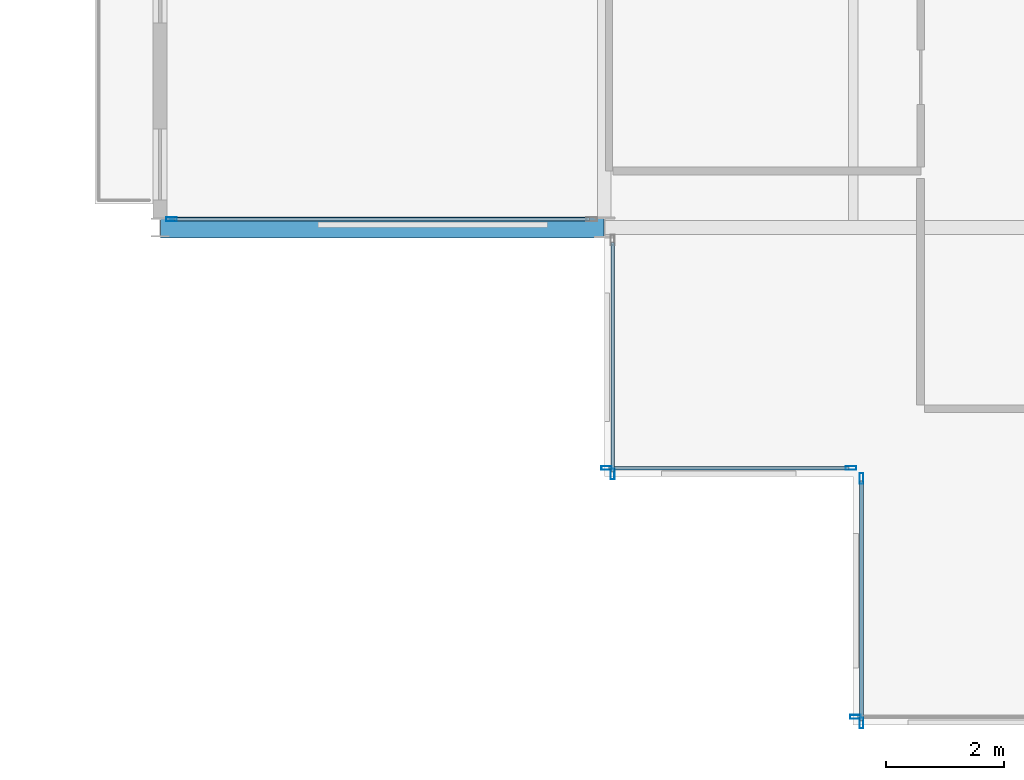
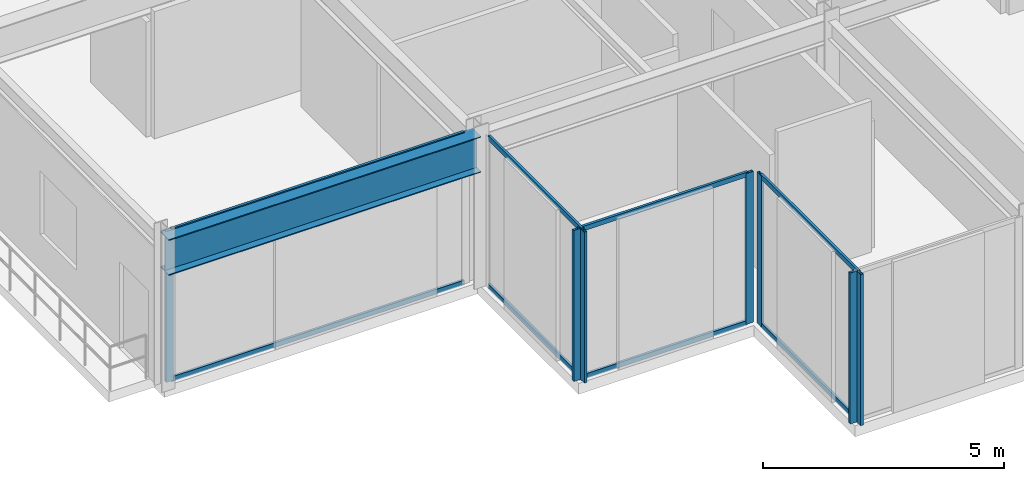
# One storey, part 3 of 29: 15 members, 1 beam, 5 elements without a shape of their own.
"""IFC4 building model written with IfcOpenShell, lengths in metres."""

from ifc_helpers import new_model, si_unit, direction, frame, origin, origin_2d, place, context, subcontext, project, spatial, hollow_rectangle, i_section, extrude, material, layer, layer_set, material_profile, profile_set, type_object, element, aggregate, save


model = new_model("IFC4")

# Units and contexts
model_context = context("Model", 3, precision=1e-05, world=origin(), true_north=direction((0.0, 1.0)))
body_context = subcontext(model_context, "Body", "Model", "MODEL_VIEW")
ifc_project = project(units=[si_unit("LENGTHUNIT", "METRE"), si_unit("AREAUNIT", "SQUARE_METRE"), si_unit("VOLUMEUNIT", "CUBIC_METRE"), si_unit("PLANEANGLEUNIT", "RADIAN"), si_unit("MASSUNIT", "GRAM", prefix="KILO")], contexts=[model_context])

# Site, building, storey
site_placement = place(None, origin())
site = spatial("IfcSite", under=ifc_project, at=site_placement, CompositionType="ELEMENT")
building_placement = place(site_placement, origin())
building = spatial("IfcBuilding", under=site, at=building_placement, Name="Nerrivon Quay Data Exchange", CompositionType="ELEMENT")
storey_placement = place(building_placement, frame((0.0, 0.0, 187.800048828125)))
storey = spatial("IfcBuildingStorey", under=building, at=storey_placement, Name="L44", CompositionType="ELEMENT", Elevation=187.800048828125)

# Beam
ifc_material_1 = material(Name="Steel Grade 350", Category="steel")
ifc_material_profile_1 = material_profile(ifc_material_1, i_section(OverallWidth=0.35009765625, OverallDepth=0.909912109375, WebThickness=0.011962890625, FlangeThickness=0.02490234375, at=origin_2d()), Name="900WB218")
ifc_profile_set_1 = profile_set([ifc_material_profile_1], Name="Steel Grade 350")
beam_type = type_object("IfcBeamType", Name="BM-CANT-900WB", PredefinedType="USERDEFINED", material=ifc_profile_set_1)
beam_placement = place(storey_placement, frame((-0.010009765625, 8.39990234375, 3.369873046875), z_axis=(-1.0, 0.0, 0.0), x_axis=(0.0, -1.0, 0.0)))
element("IfcBeam", 1, at=beam_placement, inside=storey, type_object=beam_type, Name="L44 West Hooked Cantilever Girder Y=8.4", ObjectType="TRANSFER", PredefinedType="USERDEFINED", context=body_context, shape_type="SweptSolid", body=[
    extrude(i_section(OverallWidth=0.35009765625, OverallDepth=0.909912109375, WebThickness=0.011962890625, FlangeThickness=0.02490234375, at=origin_2d()), origin(), (0.0, 0.0, 1.0), 7.482177734375),
])

# Curtain wall, member
ifc_material_2 = material(Name="Anodised aluminium 6063-T6", Category="aluminium")
ifc_layer_1 = layer(ifc_material_2, 0.195068359375)
ifc_layer_set_1 = layer_set([ifc_layer_1], Name="Anodised aluminium 6063-T6")
curtain_wall_type_1 = type_object("IfcCurtainWallType", Name="CW-SYS-06", PredefinedType="NOTDEFINED", material=ifc_layer_set_1)
curtain_wall_1_placement = place(storey_placement, origin())
curtain_wall_1 = element("IfcCurtainWall", 2, at=curtain_wall_1_placement, inside=storey, type_object=curtain_wall_type_1, Name="L44 Unitised Curtain Wall 28", PredefinedType="NOTDEFINED")
ifc_material_profile_2 = material_profile(ifc_material_2, hollow_rectangle(XDim=0.06494140625, YDim=0.179931640625, WallThickness=0.00341796875, at=origin_2d()), Name="ALU-MULL-180x65")
ifc_profile_set_2 = profile_set([ifc_material_profile_2], Name="Anodised aluminium 6063-T6")
member_type_1 = type_object("IfcMemberType", Name="CWM-180x65", PredefinedType="MULLION", material=ifc_profile_set_2)
member_1_placement = place(storey_placement, frame((4.237548828125, 0.139892578125, 0.0), z_axis=(0.0, 0.0, 1.0), x_axis=(0.0, -1.0, 0.0)))
member_1 = element("IfcMember", 3, at=member_1_placement, type_object=member_type_1, Name="CW06 mullion 2", PredefinedType="MULLION", context=body_context, shape_type="SweptSolid", body=[
    extrude(hollow_rectangle(XDim=0.06494140625, YDim=0.179931640625, WallThickness=0.00341796875, at=origin_2d()), origin(), (0.0, 0.0, 1.0), 3.824951171875),
])
aggregate(curtain_wall_1, [member_1])

# Curtain wall, members
curtain_wall_2_placement = place(storey_placement, origin())
curtain_wall_2 = element("IfcCurtainWall", 4, at=curtain_wall_2_placement, inside=storey, type_object=curtain_wall_type_1, Name="L44 Unitised Curtain Wall 29", PredefinedType="NOTDEFINED")
member_2_placement = place(storey_placement, frame((4.340087890625, 0.03759765625, 0.0), z_axis=(0.0, 0.0, 1.0), x_axis=(-1.0, 0.0, 0.0)))
member_2 = element("IfcMember", 5, at=member_2_placement, type_object=member_type_1, Name="CW06 mullion 1", PredefinedType="MULLION", context=body_context, shape_type="SweptSolid", body=[
    extrude(hollow_rectangle(XDim=0.06494140625, YDim=0.179931640625, WallThickness=0.00341796875, at=origin_2d()), origin(), (0.0, 0.0, 1.0), 3.824951171875),
])
member_3_placement = place(storey_placement, frame((4.340087890625, 4.16259765625, 0.0), z_axis=(0.0, 0.0, 1.0), x_axis=(-1.0, 0.0, 0.0)))
member_3 = element("IfcMember", 6, at=member_3_placement, type_object=member_type_1, Name="CW06 mullion 2", PredefinedType="MULLION", context=body_context, shape_type="SweptSolid", body=[
    extrude(hollow_rectangle(XDim=0.06494140625, YDim=0.179931640625, WallThickness=0.00341796875, at=origin_2d()), origin(), (0.0, 0.0, 1.0), 3.824951171875),
])

curtain_wall_3_placement = place(storey_placement, origin())
curtain_wall_3 = element("IfcCurtainWall", 7, at=curtain_wall_3_placement, inside=storey, type_object=curtain_wall_type_1, Name="L44 Unitised Curtain Wall 30", PredefinedType="NOTDEFINED")
member_4_placement = place(storey_placement, frame((4.16259765625, 4.340087890625, 0.0), z_axis=(0.0, 0.0, 1.0), x_axis=(0.0, -1.0, 0.0)))
member_4 = element("IfcMember", 8, at=member_4_placement, type_object=member_type_1, Name="CW06 mullion 1", PredefinedType="MULLION", context=body_context, shape_type="SweptSolid", body=[
    extrude(hollow_rectangle(XDim=0.06494140625, YDim=0.179931640625, WallThickness=0.00341796875, at=origin_2d()), origin(), (0.0, 0.0, 1.0), 3.824951171875),
])
member_5_placement = place(storey_placement, frame((0.03759765625, 4.340087890625, 0.0), z_axis=(0.0, 0.0, 1.0), x_axis=(0.0, -1.0, 0.0)))
member_5 = element("IfcMember", 9, at=member_5_placement, type_object=member_type_1, Name="CW06 mullion 2", PredefinedType="MULLION", context=body_context, shape_type="SweptSolid", body=[
    extrude(hollow_rectangle(XDim=0.06494140625, YDim=0.179931640625, WallThickness=0.00341796875, at=origin_2d()), origin(), (0.0, 0.0, 1.0), 3.824951171875),
])

# Curtain wall, member
curtain_wall_4_placement = place(storey_placement, origin())
curtain_wall_4 = element("IfcCurtainWall", 10, at=curtain_wall_4_placement, inside=storey, type_object=curtain_wall_type_1, Name="L44 Unitised Curtain Wall 31", PredefinedType="NOTDEFINED")
member_6_placement = place(storey_placement, frame((0.139892578125, 4.237548828125, 0.0), z_axis=(0.0, 0.0, 1.0), x_axis=(-1.0, 0.0, 0.0)))
member_6 = element("IfcMember", 11, at=member_6_placement, type_object=member_type_1, Name="CW06 mullion 1", PredefinedType="MULLION", context=body_context, shape_type="SweptSolid", body=[
    extrude(hollow_rectangle(XDim=0.06494140625, YDim=0.179931640625, WallThickness=0.00341796875, at=origin_2d()), origin(), (0.0, 0.0, 1.0), 3.824951171875),
])

ifc_layer_2 = layer(ifc_material_2, 0.199951171875)
ifc_layer_set_2 = layer_set([ifc_layer_2], Name="Anodised aluminium 6063-T6")
curtain_wall_type_2 = type_object("IfcCurtainWallType", Name="CW-SYS-04", PredefinedType="NOTDEFINED", material=ifc_layer_set_2)
curtain_wall_5_placement = place(storey_placement, origin())
curtain_wall_5 = element("IfcCurtainWall", 12, at=curtain_wall_5_placement, inside=storey, type_object=curtain_wall_type_2, Name="L44 Unitised Curtain Wall 32", PredefinedType="NOTDEFINED")
member_7_placement = place(storey_placement, frame((-7.306884765625, 8.5400390625, 0.0), z_axis=(0.0, 0.0, 1.0), x_axis=(0.0, -1.0, 0.0)))
member_7 = element("IfcMember", 13, at=member_7_placement, type_object=member_type_1, Name="CW04 mullion 2", PredefinedType="MULLION", context=body_context, shape_type="SweptSolid", body=[
    extrude(hollow_rectangle(XDim=0.06494140625, YDim=0.179931640625, WallThickness=0.00341796875, at=origin_2d()), origin(), (0.0, 0.0, 1.0), 3.824951171875),
])

# Member
ifc_material_profile_3 = material_profile(ifc_material_2, hollow_rectangle(XDim=0.06005859375, YDim=0.1201171875, WallThickness=0.003173828125, at=origin_2d()), Name="ALU-TRAN-120x60")
ifc_profile_set_3 = profile_set([ifc_material_profile_3], Name="Anodised aluminium 6063-T6")
member_type_2 = type_object("IfcMemberType", Name="CWT-120x60", PredefinedType="USERDEFINED", material=ifc_profile_set_3)
member_8_placement = place(storey_placement, frame((4.340087890625, 0.074951171875, 0.032470703125), z_axis=(0.0, 1.0, 0.0), x_axis=(-1.0, 0.0, 0.0)))
member_8 = element("IfcMember", 14, at=member_8_placement, type_object=member_type_2, Name="CW06 transom 1.1", ObjectType="TRANSOM", PredefinedType="USERDEFINED", context=body_context, shape_type="SweptSolid", body=[
    extrude(hollow_rectangle(XDim=0.06005859375, YDim=0.1201171875, WallThickness=0.003173828125, at=origin_2d()), origin(), (0.0, 0.0, 1.0), 4.050048828125),
])

member_9_placement = place(storey_placement, frame((4.340087890625, 0.074951171875, 3.79248046875), z_axis=(0.0, 1.0, 0.0), x_axis=(-1.0, 0.0, 0.0)))
member_9 = element("IfcMember", 15, at=member_9_placement, type_object=member_type_2, Name="CW06 transom 1.2", ObjectType="TRANSOM", PredefinedType="USERDEFINED", context=body_context, shape_type="SweptSolid", body=[
    extrude(hollow_rectangle(XDim=0.06005859375, YDim=0.1201171875, WallThickness=0.003173828125, at=origin_2d()), origin(), (0.0, 0.0, 1.0), 4.050048828125),
])

aggregate(curtain_wall_2, [member_2, member_3, member_8, member_9])

member_10_placement = place(storey_placement, frame((4.125, 4.340087890625, 0.032470703125), z_axis=(-1.0, 0.0, 0.0), x_axis=(0.0, -1.0, 0.0)))
member_10 = element("IfcMember", 16, at=member_10_placement, type_object=member_type_2, Name="CW06 transom 1.1", ObjectType="TRANSOM", PredefinedType="USERDEFINED", context=body_context, shape_type="SweptSolid", body=[
    extrude(hollow_rectangle(XDim=0.06005859375, YDim=0.1201171875, WallThickness=0.003173828125, at=origin_2d()), origin(), (0.0, 0.0, 1.0), 4.050048828125),
])

member_11_placement = place(storey_placement, frame((4.125, 4.340087890625, 3.79248046875), z_axis=(-1.0, 0.0, 0.0), x_axis=(0.0, -1.0, 0.0)))
member_11 = element("IfcMember", 17, at=member_11_placement, type_object=member_type_2, Name="CW06 transom 1.2", ObjectType="TRANSOM", PredefinedType="USERDEFINED", context=body_context, shape_type="SweptSolid", body=[
    extrude(hollow_rectangle(XDim=0.06005859375, YDim=0.1201171875, WallThickness=0.003173828125, at=origin_2d()), origin(), (0.0, 0.0, 1.0), 4.050048828125),
])

aggregate(curtain_wall_3, [member_4, member_5, member_10, member_11])

member_12_placement = place(storey_placement, frame((0.139892578125, 4.27490234375, 0.032470703125), z_axis=(0.0, 1.0, 0.0), x_axis=(-1.0, 0.0, 0.0)))
member_12 = element("IfcMember", 18, at=member_12_placement, type_object=member_type_2, Name="CW06 transom 1.1", ObjectType="TRANSOM", PredefinedType="USERDEFINED", context=body_context, shape_type="SweptSolid", body=[
    extrude(hollow_rectangle(XDim=0.06005859375, YDim=0.1201171875, WallThickness=0.003173828125, at=origin_2d()), origin(), (0.0, 0.0, 1.0), 3.875),
])

member_13_placement = place(storey_placement, frame((0.139892578125, 4.27490234375, 3.79248046875), z_axis=(0.0, 1.0, 0.0), x_axis=(-1.0, 0.0, 0.0)))
member_13 = element("IfcMember", 19, at=member_13_placement, type_object=member_type_2, Name="CW06 transom 1.2", ObjectType="TRANSOM", PredefinedType="USERDEFINED", context=body_context, shape_type="SweptSolid", body=[
    extrude(hollow_rectangle(XDim=0.06005859375, YDim=0.1201171875, WallThickness=0.003173828125, at=origin_2d()), origin(), (0.0, 0.0, 1.0), 3.875),
])

aggregate(curtain_wall_4, [member_6, member_12, member_13])

member_14_placement = place(storey_placement, frame((-0.25, 8.5400390625, 0.032470703125), z_axis=(-1.0, 0.0, 0.0), x_axis=(0.0, -1.0, 0.0)))
member_14 = element("IfcMember", 20, at=member_14_placement, type_object=member_type_2, Name="CW04 transom 1.1", ObjectType="TRANSOM", PredefinedType="USERDEFINED", context=body_context, shape_type="SweptSolid", body=[
    extrude(hollow_rectangle(XDim=0.06005859375, YDim=0.1201171875, WallThickness=0.003173828125, at=origin_2d()), origin(), (0.0, 0.0, 1.0), 7.01953125),
])

member_15_placement = place(storey_placement, frame((-0.25, 8.5400390625, 3.79248046875), z_axis=(-1.0, 0.0, 0.0), x_axis=(0.0, -1.0, 0.0)))
member_15 = element("IfcMember", 21, at=member_15_placement, type_object=member_type_2, Name="CW04 transom 1.2", ObjectType="TRANSOM", PredefinedType="USERDEFINED", context=body_context, shape_type="SweptSolid", body=[
    extrude(hollow_rectangle(XDim=0.06005859375, YDim=0.1201171875, WallThickness=0.003173828125, at=origin_2d()), origin(), (0.0, 0.0, 1.0), 7.01953125),
])

aggregate(curtain_wall_5, [member_7, member_14, member_15])

save(model, "model.ifc")
